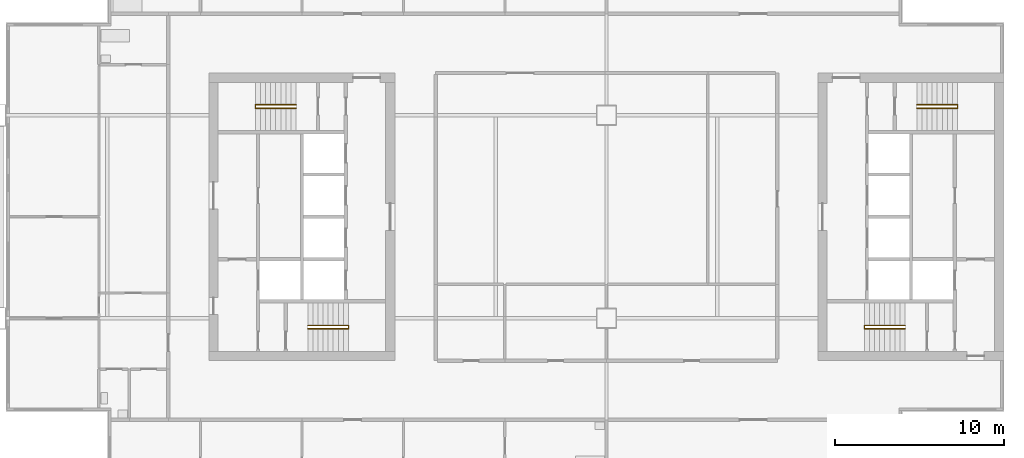
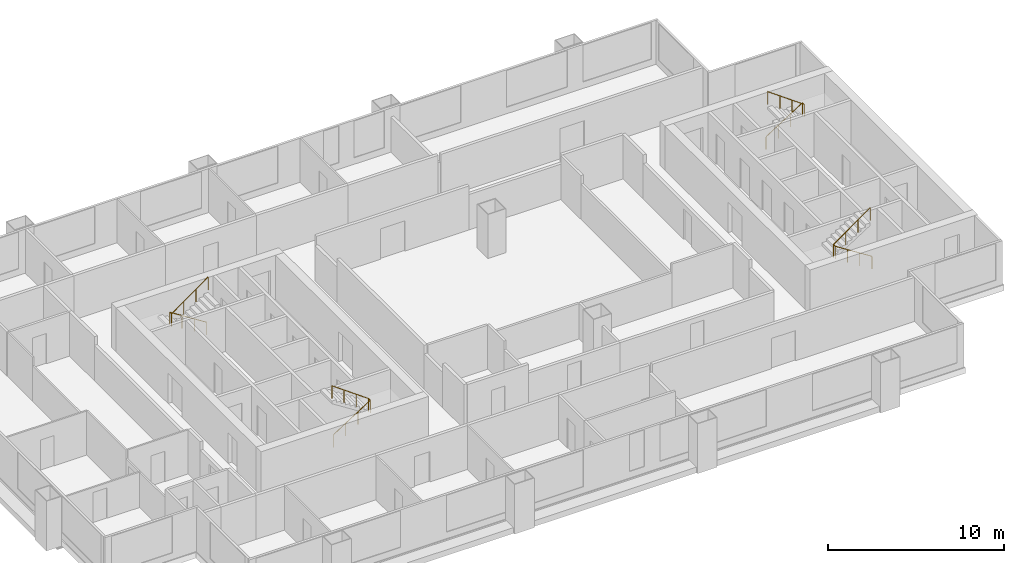
# One storey, part 7 of 8: 4 railings.
"""IFC4 building model written with IfcOpenShell, lengths in metres."""

from ifc_helpers import new_model, si_unit, direction, frame, origin, origin_2d, place, context, subcontext, project, spatial, circle, extrude, material, type_object, element, save


model = new_model("IFC4")

# Units and contexts
model_context = context("Model", 3, precision=1e-05, world=origin(), true_north=direction((0.0, 1.0)))
body_context = subcontext(model_context, "Body", "Model", "MODEL_VIEW")
ifc_project = project(units=[si_unit("LENGTHUNIT", "METRE"), si_unit("AREAUNIT", "SQUARE_METRE"), si_unit("VOLUMEUNIT", "CUBIC_METRE"), si_unit("PLANEANGLEUNIT", "RADIAN"), si_unit("MASSUNIT", "GRAM", prefix="KILO")], contexts=[model_context])

# Site, building, storey
site_placement = place(None, origin())
site = spatial("IfcSite", under=ifc_project, at=site_placement, CompositionType="ELEMENT")
building_placement = place(site_placement, origin())
building = spatial("IfcBuilding", under=site, at=building_placement, Name="Kitamizu Gate Tower and Museum", CompositionType="ELEMENT")
storey_placement = place(building_placement, frame((0.0, 0.0, 165.14990234375)))
storey = spatial("IfcBuildingStorey", under=building, at=storey_placement, Name="L43", CompositionType="ELEMENT", Elevation=165.14990234375)

# Railings
ifc_material = material(Name="Stainless steel SUS304", Category="steel")
railing_type = type_object("IfcRailingType", Name="Stair handrail 900", PredefinedType="HANDRAIL", material=ifc_material)
railing_1_placement = place(storey_placement, frame((18.35009765625, 23.375, 0.191650390625)))
element("IfcRailing", 1, at=railing_1_placement, inside=storey, type_object=railing_type, Name="Stair handrail ST1", PredefinedType="HANDRAIL", context=body_context, shape_type="SweptSolid", body=[
    extrude(circle(Radius=0.02392578125, at=origin_2d()), frame((0.0, 0.0, 0.8759765625), z_axis=(0.842668169335, 0.0, 0.538433242278), x_axis=(0.0, 1.0, 0.0)), (0.0, 0.0, 1.0), 2.847900390625),
    extrude(circle(Radius=0.02392578125, at=origin_2d()), frame((2.39990234375, 0.0, 2.4091796875), z_axis=(0.0, 1.0, 0.0), x_axis=(-1.0, 0.0, 0.0)), (0.0, 0.0, 1.0), 0.199951171875),
    extrude(circle(Radius=0.02392578125, at=origin_2d()), frame((2.39990234375, 0.199951171875, 2.4091796875), z_axis=(-0.811988456656, 0.0, 0.583673492852), x_axis=(0.0, -1.0, 0.0)), (0.0, 0.0, 1.0), 2.95556640625),
    extrude(circle(Radius=0.02099609375, at=origin_2d()), origin(), (0.0, 0.0, 1.0), 0.851806640625),
    extrude(circle(Radius=0.02099609375, at=origin_2d()), frame((0.800048828125, 0.0, 0.51123046875)), (0.0, 0.0, 1.0), 0.851806640625),
    extrude(circle(Radius=0.02099609375, at=origin_2d()), frame((1.599853515625, 0.0, 1.022216796875)), (0.0, 0.0, 1.0), 0.851806640625),
    extrude(circle(Radius=0.02099609375, at=origin_2d()), frame((2.39990234375, 0.0, 1.533447265625)), (0.0, 0.0, 1.0), 0.851806640625),
    extrude(circle(Radius=0.02099609375, at=origin_2d()), frame((2.39990234375, 0.199951171875, 1.533447265625)), (0.0, 0.0, 1.0), 0.851806640625),
    extrude(circle(Radius=0.02099609375, at=origin_2d()), frame((1.599853515625, 0.199951171875, 2.1083984375)), (0.0, 0.0, 1.0), 0.851806640625),
    extrude(circle(Radius=0.02099609375, at=origin_2d()), frame((0.800048828125, 0.199951171875, 2.68359375)), (0.0, 0.0, 1.0), 0.851806640625),
    extrude(circle(Radius=0.02099609375, at=origin_2d()), frame((0.0, 0.199951171875, 3.258544921875)), (0.0, 0.0, 1.0), 0.851806640625),
])
railing_2_placement = place(storey_placement, frame((17.64990234375, 36.625, 0.191650390625)))
element("IfcRailing", 2, at=railing_2_placement, inside=storey, type_object=railing_type, Name="Stair handrail ST2", PredefinedType="HANDRAIL", context=body_context, shape_type="SweptSolid", body=[
    extrude(circle(Radius=0.02392578125, at=origin_2d()), frame((0.0, 0.0, 0.8759765625), z_axis=(-0.842668169335, 0.0, 0.538433242278), x_axis=(0.0, -1.0, 0.0)), (0.0, 0.0, 1.0), 2.847900390625),
    extrude(circle(Radius=0.02392578125, at=origin_2d()), frame((-2.39990234375, 0.0, 2.4091796875), z_axis=(0.0, -1.0, 0.0), x_axis=(1.0, 0.0, 0.0)), (0.0, 0.0, 1.0), 0.199951171875),
    extrude(circle(Radius=0.02392578125, at=origin_2d()), frame((-2.39990234375, -0.199951171875, 2.4091796875), z_axis=(0.811988456656, 0.0, 0.583673492852), x_axis=(0.0, 1.0, 0.0)), (0.0, 0.0, 1.0), 2.95556640625),
    extrude(circle(Radius=0.02099609375, at=origin_2d()), origin(), (0.0, 0.0, 1.0), 0.851806640625),
    extrude(circle(Radius=0.02099609375, at=origin_2d()), frame((-0.800048828125, 0.0, 0.51123046875)), (0.0, 0.0, 1.0), 0.851806640625),
    extrude(circle(Radius=0.02099609375, at=origin_2d()), frame((-1.599853515625, 0.0, 1.022216796875)), (0.0, 0.0, 1.0), 0.851806640625),
    extrude(circle(Radius=0.02099609375, at=origin_2d()), frame((-2.39990234375, 0.0, 1.533447265625)), (0.0, 0.0, 1.0), 0.851806640625),
    extrude(circle(Radius=0.02099609375, at=origin_2d()), frame((-2.39990234375, -0.199951171875, 1.533447265625)), (0.0, 0.0, 1.0), 0.851806640625),
    extrude(circle(Radius=0.02099609375, at=origin_2d()), frame((-1.599853515625, -0.199951171875, 2.1083984375)), (0.0, 0.0, 1.0), 0.851806640625),
    extrude(circle(Radius=0.02099609375, at=origin_2d()), frame((-0.800048828125, -0.199951171875, 2.68359375)), (0.0, 0.0, 1.0), 0.851806640625),
    extrude(circle(Radius=0.02099609375, at=origin_2d()), frame((0.0, -0.199951171875, 3.258544921875)), (0.0, 0.0, 1.0), 0.851806640625),
])
railing_3_placement = place(storey_placement, frame((53.64990234375, 23.375, 0.191650390625)))
element("IfcRailing", 3, at=railing_3_placement, inside=storey, type_object=railing_type, Name="Stair handrail ST3", PredefinedType="HANDRAIL", context=body_context, shape_type="SweptSolid", body=[
    extrude(circle(Radius=0.02392578125, at=origin_2d()), frame((0.0, 0.0, 0.8759765625), z_axis=(-0.842668169335, 0.0, 0.538433242278), x_axis=(0.0, -1.0, 0.0)), (0.0, 0.0, 1.0), 2.847900390625),
    extrude(circle(Radius=0.02392578125, at=origin_2d()), frame((-2.39990234375, 0.0, 2.4091796875), z_axis=(0.0, 1.0, 0.0), x_axis=(-1.0, 0.0, 0.0)), (0.0, 0.0, 1.0), 0.199951171875),
    extrude(circle(Radius=0.02392578125, at=origin_2d()), frame((-2.39990234375, 0.199951171875, 2.4091796875), z_axis=(0.811988456656, 0.0, 0.583673492852), x_axis=(0.0, 1.0, 0.0)), (0.0, 0.0, 1.0), 2.95556640625),
    extrude(circle(Radius=0.02099609375, at=origin_2d()), origin(), (0.0, 0.0, 1.0), 0.851806640625),
    extrude(circle(Radius=0.02099609375, at=origin_2d()), frame((-0.800048828125, 0.0, 0.51123046875)), (0.0, 0.0, 1.0), 0.851806640625),
    extrude(circle(Radius=0.02099609375, at=origin_2d()), frame((-1.599853515625, 0.0, 1.022216796875)), (0.0, 0.0, 1.0), 0.851806640625),
    extrude(circle(Radius=0.02099609375, at=origin_2d()), frame((-2.39990234375, 0.0, 1.533447265625)), (0.0, 0.0, 1.0), 0.851806640625),
    extrude(circle(Radius=0.02099609375, at=origin_2d()), frame((-2.39990234375, 0.199951171875, 1.533447265625)), (0.0, 0.0, 1.0), 0.851806640625),
    extrude(circle(Radius=0.02099609375, at=origin_2d()), frame((-1.599853515625, 0.199951171875, 2.1083984375)), (0.0, 0.0, 1.0), 0.851806640625),
    extrude(circle(Radius=0.02099609375, at=origin_2d()), frame((-0.800048828125, 0.199951171875, 2.68359375)), (0.0, 0.0, 1.0), 0.851806640625),
    extrude(circle(Radius=0.02099609375, at=origin_2d()), frame((0.0, 0.199951171875, 3.258544921875)), (0.0, 0.0, 1.0), 0.851806640625),
])
railing_4_placement = place(storey_placement, frame((54.35009765625, 36.625, 0.191650390625)))
element("IfcRailing", 4, at=railing_4_placement, inside=storey, type_object=railing_type, Name="Stair handrail ST4", PredefinedType="HANDRAIL", context=body_context, shape_type="SweptSolid", body=[
    extrude(circle(Radius=0.02392578125, at=origin_2d()), frame((0.0, 0.0, 0.8759765625), z_axis=(0.842668169335, 0.0, 0.538433242278), x_axis=(0.0, 1.0, 0.0)), (0.0, 0.0, 1.0), 2.847900390625),
    extrude(circle(Radius=0.02392578125, at=origin_2d()), frame((2.39990234375, 0.0, 2.4091796875), z_axis=(0.0, -1.0, 0.0), x_axis=(1.0, 0.0, 0.0)), (0.0, 0.0, 1.0), 0.199951171875),
    extrude(circle(Radius=0.02392578125, at=origin_2d()), frame((2.39990234375, -0.199951171875, 2.4091796875), z_axis=(-0.811988456656, 0.0, 0.583673492852), x_axis=(0.0, -1.0, 0.0)), (0.0, 0.0, 1.0), 2.95556640625),
    extrude(circle(Radius=0.02099609375, at=origin_2d()), origin(), (0.0, 0.0, 1.0), 0.851806640625),
    extrude(circle(Radius=0.02099609375, at=origin_2d()), frame((0.800048828125, 0.0, 0.51123046875)), (0.0, 0.0, 1.0), 0.851806640625),
    extrude(circle(Radius=0.02099609375, at=origin_2d()), frame((1.599853515625, 0.0, 1.022216796875)), (0.0, 0.0, 1.0), 0.851806640625),
    extrude(circle(Radius=0.02099609375, at=origin_2d()), frame((2.39990234375, 0.0, 1.533447265625)), (0.0, 0.0, 1.0), 0.851806640625),
    extrude(circle(Radius=0.02099609375, at=origin_2d()), frame((2.39990234375, -0.199951171875, 1.533447265625)), (0.0, 0.0, 1.0), 0.851806640625),
    extrude(circle(Radius=0.02099609375, at=origin_2d()), frame((1.599853515625, -0.199951171875, 2.1083984375)), (0.0, 0.0, 1.0), 0.851806640625),
    extrude(circle(Radius=0.02099609375, at=origin_2d()), frame((0.800048828125, -0.199951171875, 2.68359375)), (0.0, 0.0, 1.0), 0.851806640625),
    extrude(circle(Radius=0.02099609375, at=origin_2d()), frame((0.0, -0.199951171875, 3.258544921875)), (0.0, 0.0, 1.0), 0.851806640625),
])

save(model, "model.ifc")
